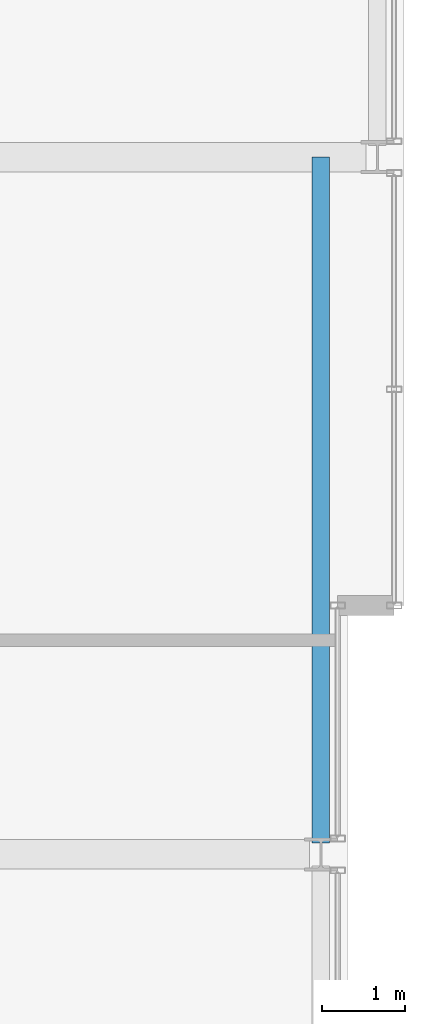
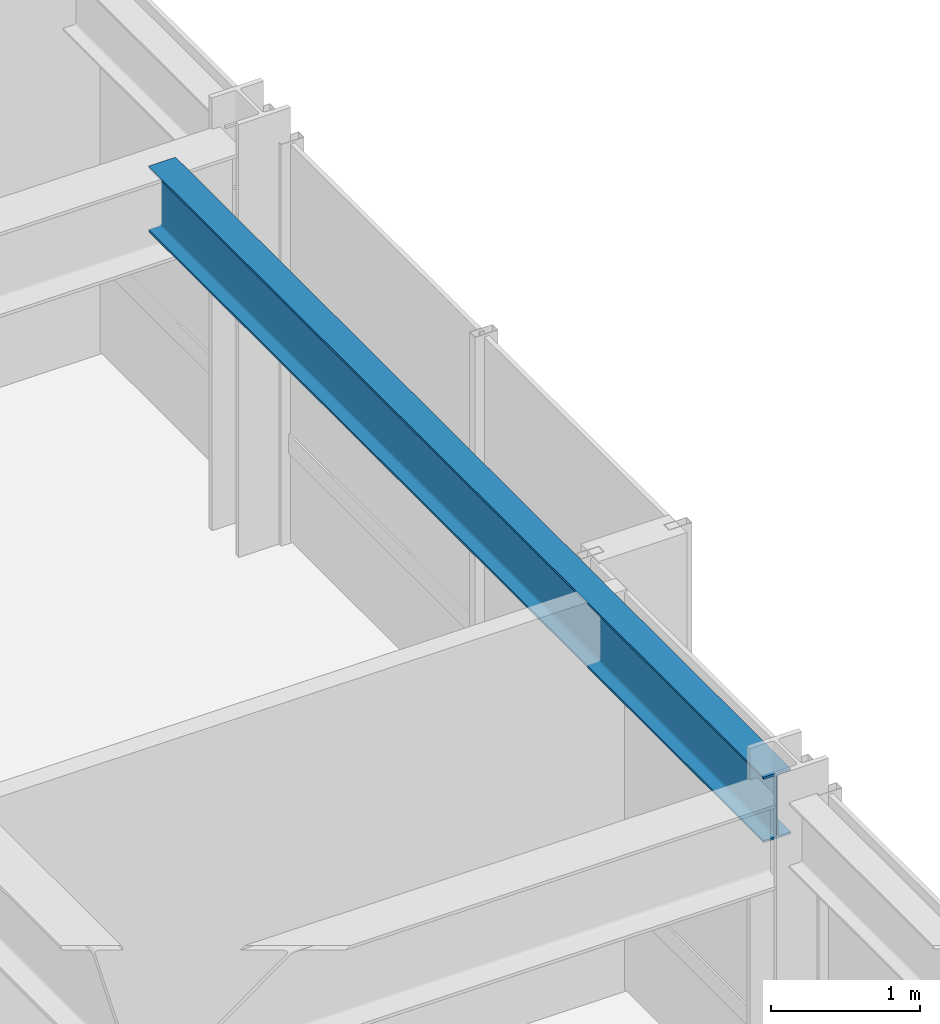
# One storey, part 16 of 33: 1 beam.
"""IFC4 building model written with IfcOpenShell, lengths in metres."""

from ifc_helpers import new_model, si_unit, direction, frame, origin, origin_2d, place, context, subcontext, project, spatial, i_section, extrude, material, material_profile, profile_set, type_object, element, save


model = new_model("IFC4")

# Units and contexts
model_context = context("Model", 3, precision=1e-05, world=origin(), true_north=direction((0.0, 1.0)))
body_context = subcontext(model_context, "Body", "Model", "MODEL_VIEW")
ifc_project = project(units=[si_unit("LENGTHUNIT", "METRE"), si_unit("AREAUNIT", "SQUARE_METRE"), si_unit("VOLUMEUNIT", "CUBIC_METRE"), si_unit("PLANEANGLEUNIT", "RADIAN"), si_unit("MASSUNIT", "GRAM", prefix="KILO")], contexts=[model_context])

# Site, building, storey
site_placement = place(None, origin())
site = spatial("IfcSite", under=ifc_project, at=site_placement, CompositionType="ELEMENT")
building_placement = place(site_placement, origin())
building = spatial("IfcBuilding", under=site, at=building_placement, Name="Drelvath Grand Hotel", CompositionType="ELEMENT")
storey_placement = place(building_placement, frame((0.0, 0.0, 178.800048828125)))
storey = spatial("IfcBuildingStorey", under=building, at=storey_placement, Name="L46", CompositionType="ELEMENT", Elevation=178.800048828125)

# Beam
ifc_material = material(Name="Steel ASTM A992 Gr 50", Category="steel")
ifc_material_profile = material_profile(ifc_material, i_section(OverallWidth=0.210205078125, OverallDepth=0.53662109375, WebThickness=0.010986328125, FlangeThickness=0.017333984375, FilletRadius=0.01806640625, at=origin_2d()), Name="W21X68")
ifc_profile_set = profile_set([ifc_material_profile], Name="Steel ASTM A992 Gr 50")
beam_type = type_object("IfcBeamType", Name="Perimeter Spandrel Beam W21X68", PredefinedType="SPANDREL", material=ifc_profile_set)
beam_placement = place(storey_placement, frame((21.199951171875, 27.139892578125, 3.021728515625), z_axis=(0.0, 1.0, 0.0), x_axis=(-1.0, 0.0, 0.0)))
element("IfcBeam", 1, at=beam_placement, inside=storey, type_object=beam_type, Name="L46 Spandrel East Mid N", PredefinedType="SPANDREL", context=body_context, shape_type="SweptSolid", body=[
    extrude(i_section(OverallWidth=0.210205078125, OverallDepth=0.53662109375, WebThickness=0.010986328125, FlangeThickness=0.017333984375, FilletRadius=0.01806640625, at=origin_2d()), origin(), (0.0, 0.0, 1.0), 8.260009765625),
])

save(model, "model.ifc")
